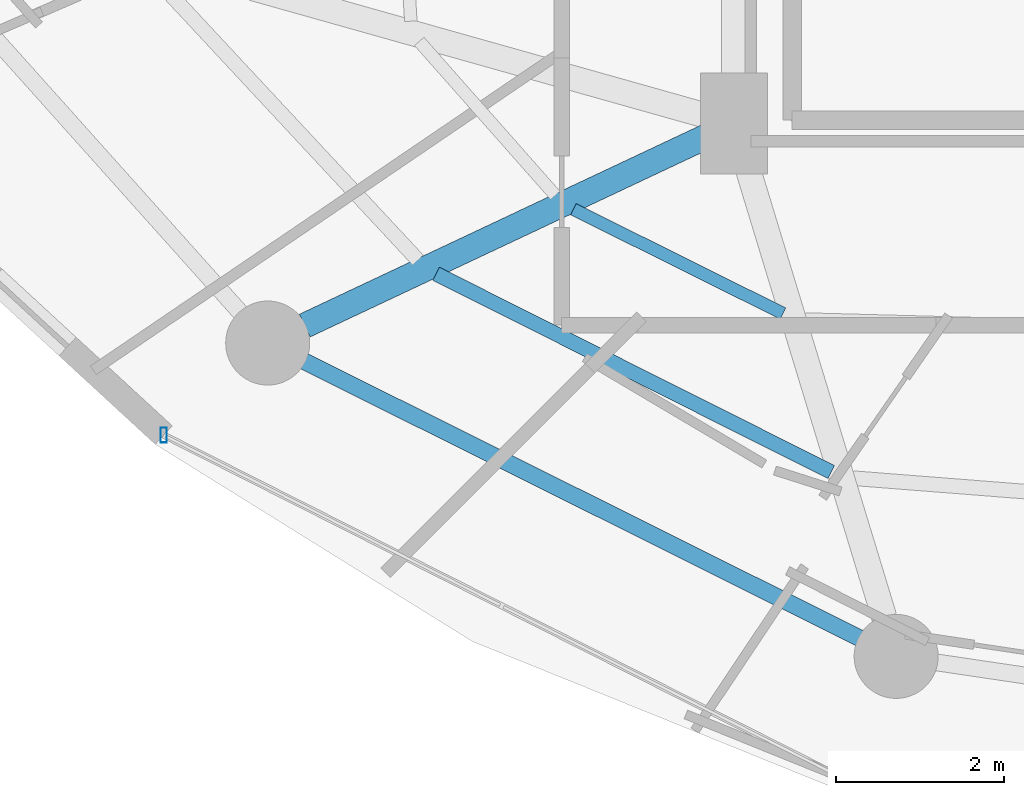
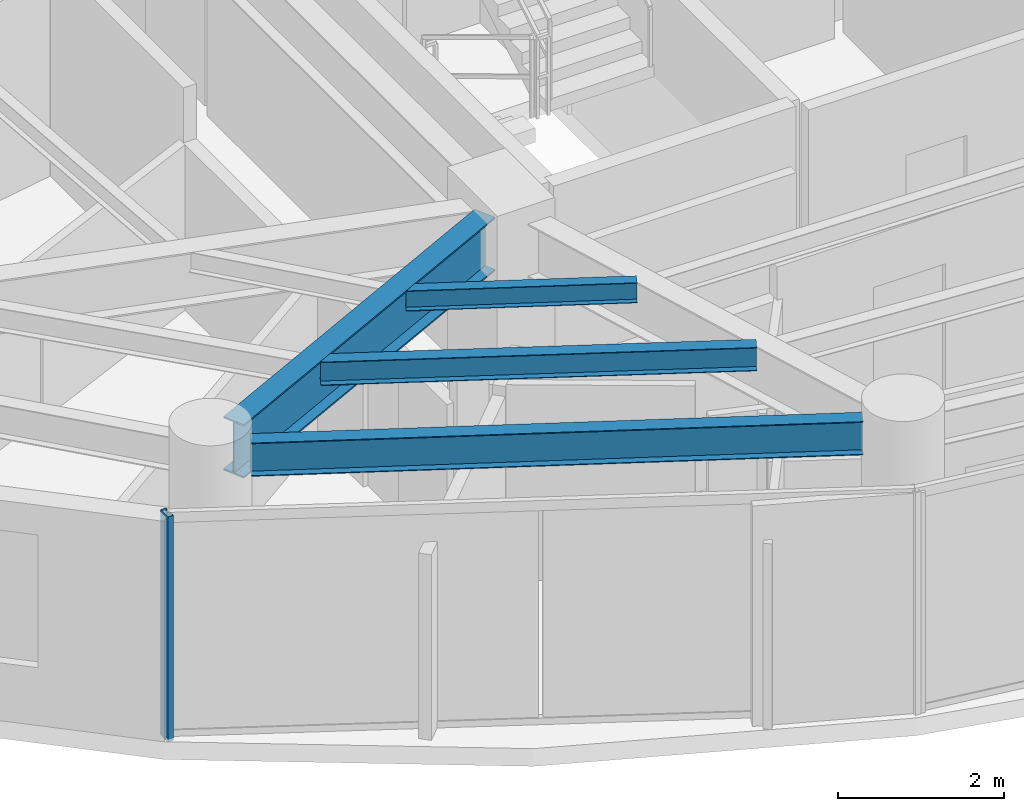
# One storey, part 2 of 31: 4 beams, 1 member, 1 element without a shape of its own.
"""IFC4 building model written with IfcOpenShell, lengths in metres."""

from ifc_helpers import new_model, si_unit, direction, frame, origin, origin_2d, place, context, subcontext, project, spatial, hollow_rectangle, i_section, extrude, material, material_profile, profile_set, type_object, element, aggregate, save


model = new_model("IFC4")

# Units and contexts
model_context = context("Model", 3, precision=1e-05, world=origin(), true_north=direction((0.0, 1.0)))
body_context = subcontext(model_context, "Body", "Model", "MODEL_VIEW")
ifc_project = project(units=[si_unit("LENGTHUNIT", "METRE"), si_unit("AREAUNIT", "SQUARE_METRE"), si_unit("VOLUMEUNIT", "CUBIC_METRE"), si_unit("PLANEANGLEUNIT", "RADIAN"), si_unit("MASSUNIT", "GRAM", prefix="KILO")], contexts=[model_context])

# Site, building, storey
site_placement = place(None, origin())
site = spatial("IfcSite", under=ifc_project, at=site_placement, CompositionType="ELEMENT")
building_placement = place(site_placement, origin())
building = spatial("IfcBuilding", under=site, at=building_placement, Name="Vorneva Point Tower", CompositionType="ELEMENT")
storey_placement = place(building_placement, frame((0.0, 0.0, 132.60009765625)))
storey = spatial("IfcBuildingStorey", under=building, at=storey_placement, Name="L35", CompositionType="ELEMENT", Elevation=132.60009765625)

# Beams
ifc_material_1 = material(Name="Steel S355", Category="steel")
ifc_material_profile_1 = material_profile(ifc_material_1, i_section(OverallWidth=0.300048828125, OverallDepth=0.7880859375, WebThickness=0.014404296875, FlangeThickness=0.02197265625, at=origin_2d()), Name="80Sh1")
ifc_profile_set_1 = profile_set([ifc_material_profile_1], Name="Steel S355")
beam_type_1 = type_object("IfcBeamType", Name="BM-GRD-80Sh1", PredefinedType="USERDEFINED", material=ifc_profile_set_1)
beam_1_placement = place(storey_placement, frame((22.142578125, 14.045654296875, 2.845947265625), z_axis=(0.904761331435, 0.425918927896, 0.0), x_axis=(-0.425918927896, 0.904761331435, 0.0)))
element("IfcBeam", 1, at=beam_1_placement, inside=storey, type_object=beam_type_1, Name="L35 Radial Primary Girder 11", ObjectType="GIRDER", PredefinedType="USERDEFINED", context=body_context, shape_type="SweptSolid", body=[
    extrude(i_section(OverallWidth=0.300048828125, OverallDepth=0.7880859375, WebThickness=0.014404296875, FlangeThickness=0.02197265625, at=origin_2d()), origin(), (0.0, 0.0, 1.0), 5.304931640625),
])
ifc_material_profile_2 = material_profile(ifc_material_1, i_section(OverallWidth=0.14892578125, OverallDepth=0.298095703125, WebThickness=0.005615234375, FlangeThickness=0.008056640625, at=origin_2d()), Name="30B1")
ifc_profile_set_2 = profile_set([ifc_material_profile_2], Name="Steel S355")
beam_type_2 = type_object("IfcBeamType", Name="BM-JST-30B1", PredefinedType="JOIST", material=ifc_profile_set_2)
beam_2_placement = place(storey_placement, frame((25.338134765625, 15.430419921875, 3.0908203125), z_axis=(0.895266564534, -0.445530895031, 0.0), x_axis=(0.445530895031, 0.895266564534, 0.0)))
element("IfcBeam", 2, at=beam_2_placement, inside=storey, type_object=beam_type_2, Name="L35 Secondary Floor Beam 2.11", PredefinedType="JOIST", context=body_context, shape_type="SweptSolid", body=[
    extrude(i_section(OverallWidth=0.14892578125, OverallDepth=0.298095703125, WebThickness=0.005615234375, FlangeThickness=0.008056640625, at=origin_2d()), origin(), (0.0, 0.0, 1.0), 2.787109375),
])
ifc_material_profile_3 = material_profile(ifc_material_1, i_section(OverallWidth=0.174072265625, OverallDepth=0.345947265625, WebThickness=0.006103515625, FlangeThickness=0.009033203125, at=origin_2d()), Name="35B1")
ifc_profile_set_3 = profile_set([ifc_material_profile_3], Name="Steel S355")
beam_type_3 = type_object("IfcBeamType", Name="BM-SEC-35B1", PredefinedType="BEAM", material=ifc_profile_set_3)
beam_3_placement = place(storey_placement, frame((23.7060546875, 14.66162109375, 3.06689453125), z_axis=(0.893776430112, -0.44851275676, 0.0), x_axis=(0.44851275676, 0.893776430112, 0.0)))
element("IfcBeam", 3, at=beam_3_placement, inside=storey, type_object=beam_type_3, Name="L35 Secondary Floor Beam 1.11", PredefinedType="BEAM", context=body_context, shape_type="SweptSolid", body=[
    extrude(i_section(OverallWidth=0.174072265625, OverallDepth=0.345947265625, WebThickness=0.006103515625, FlangeThickness=0.009033203125, at=origin_2d()), origin(), (0.0, 0.0, 1.0), 5.260009765625),
])
ifc_material_profile_4 = material_profile(ifc_material_1, i_section(OverallWidth=0.199951171875, OverallDepth=0.491943359375, WebThickness=0.0087890625, FlangeThickness=0.011962890625, at=origin_2d()), Name="50B1")
ifc_profile_set_4 = profile_set([ifc_material_profile_4], Name="Steel S355")
beam_type_4 = type_object("IfcBeamType", Name="BM-SPN-50B1", PredefinedType="SPANDREL", material=ifc_profile_set_4)
beam_4_placement = place(storey_placement, frame((22.13525390625, 13.621337890625, 2.993896484375), z_axis=(0.894929061397, -0.446208443518, 0.0), x_axis=(0.446208443518, 0.894929061397, 0.0)))
element("IfcBeam", 4, at=beam_4_placement, inside=storey, type_object=beam_type_4, Name="L35 Perimeter Spandrel Ring Beam 11", PredefinedType="SPANDREL", context=body_context, shape_type="SweptSolid", body=[
    extrude(i_section(OverallWidth=0.199951171875, OverallDepth=0.491943359375, WebThickness=0.0087890625, FlangeThickness=0.011962890625, at=origin_2d()), origin(), (0.0, 0.0, 1.0), 7.385986328125),
])

# Curtain wall, member
ifc_material_2 = material(Name="Pale anodised aluminium", Category="aluminium")
curtain_wall_type = type_object("IfcCurtainWallType", Name="CW-RES-SYS", PredefinedType="NOTDEFINED", material=ifc_material_2)
curtain_wall_placement = place(storey_placement, origin())
curtain_wall = element("IfcCurtainWall", 5, at=curtain_wall_placement, inside=storey, type_object=curtain_wall_type, Name="L35 Unitised Curtain Wall CW-L35-R04", PredefinedType="NOTDEFINED")
ifc_material_profile_5 = material_profile(ifc_material_2, hollow_rectangle(XDim=0.074951171875, YDim=0.179931640625, WallThickness=0.00390625, at=origin_2d()), Name="AL-MUL 180x75x4")
ifc_profile_set_5 = profile_set([ifc_material_profile_5], Name="Pale anodised aluminium")
member_type = type_object("IfcMemberType", Name="CW-MUL-180", PredefinedType="MULLION", material=ifc_profile_set_5)
member_placement = place(storey_placement, frame((20.4638671875, 12.74169921875, -0.0400390625), z_axis=(0.0, 0.0, 1.0), x_axis=(1.0, 0.0, 0.0)))
member = element("IfcMember", 6, at=member_placement, type_object=member_type, Name="CW-L35-R04 Mullion 01", PredefinedType="MULLION", context=body_context, shape_type="SweptSolid", body=[
    extrude(hollow_rectangle(XDim=0.074951171875, YDim=0.179931640625, WallThickness=0.00390625, at=origin_2d()), origin(), (0.0, 0.0, 1.0), 3.31005859375),
])
aggregate(curtain_wall, [member])

save(model, "model.ifc")
